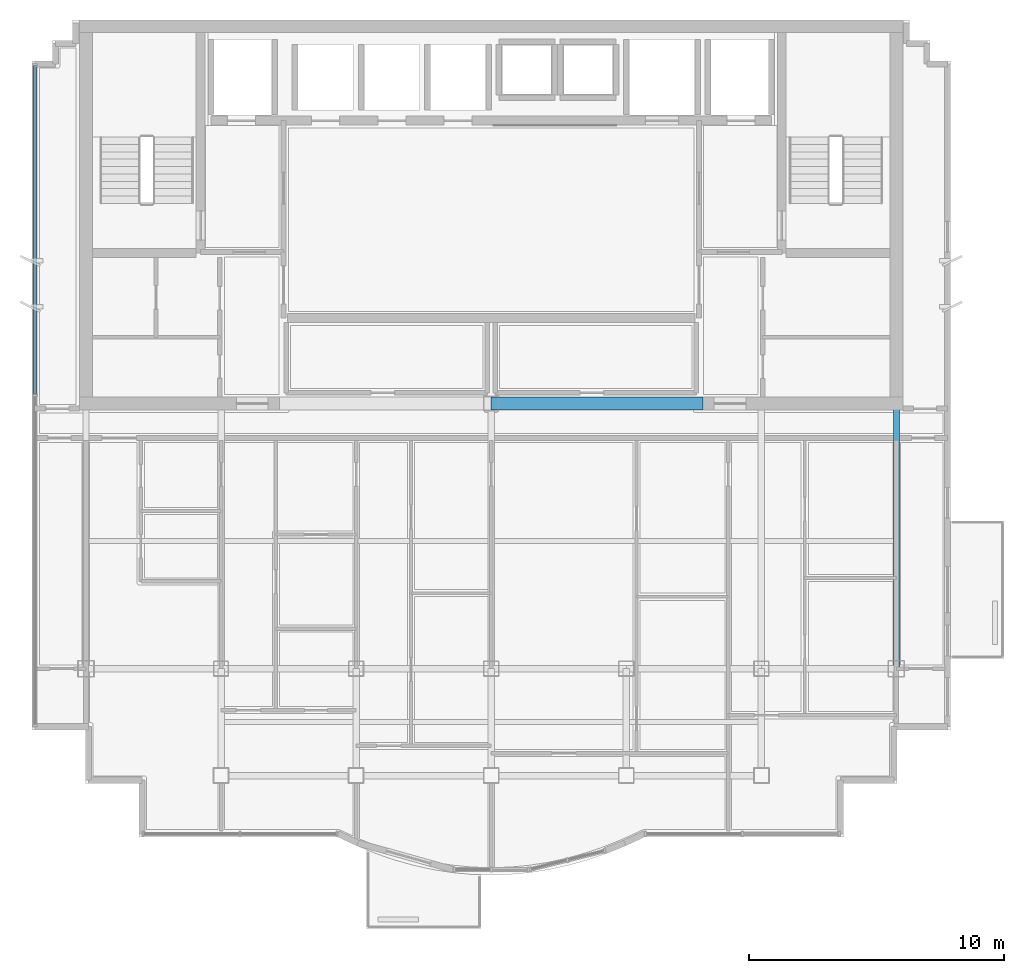
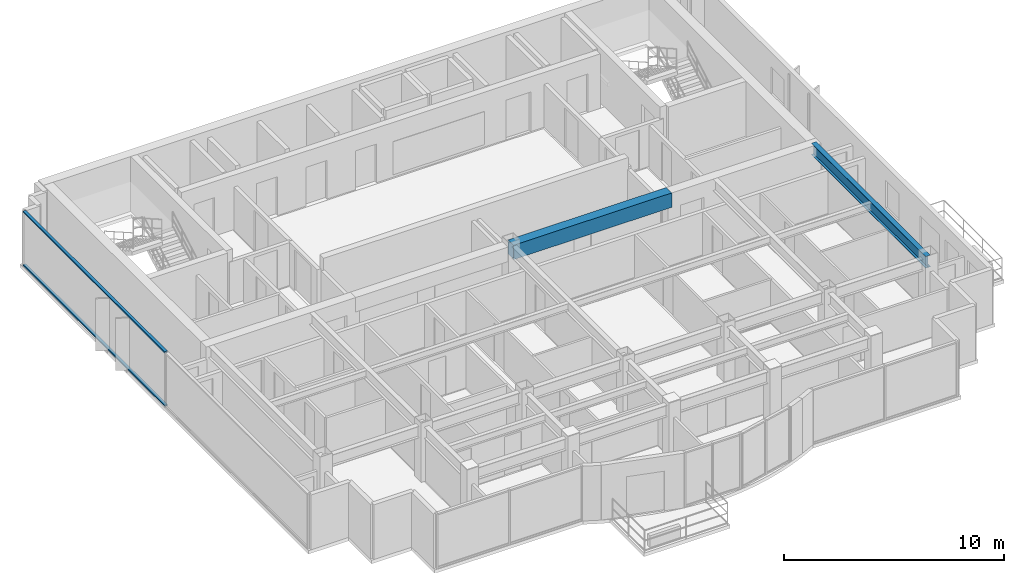
# One storey, part 3 of 11: 2 beams, 2 members, 1 element without a shape of its own.
"""IFC4 building model written with IfcOpenShell, lengths in metres."""

from ifc_helpers import new_model, si_unit, direction, frame, origin, origin_2d, place, context, subcontext, project, spatial, rectangle, i_section, extrude, source, transform, mapped, material, layer, layer_set, material_profile, profile_set, type_object, element, aggregate, save


model = new_model("IFC4")

# Units and contexts
model_context = context("Model", 3, precision=1e-05, world=origin(), true_north=direction((0.0, 1.0)))
body_context = subcontext(model_context, "Body", "Model", "MODEL_VIEW")
ifc_project = project(units=[si_unit("LENGTHUNIT", "METRE"), si_unit("AREAUNIT", "SQUARE_METRE"), si_unit("VOLUMEUNIT", "CUBIC_METRE"), si_unit("PLANEANGLEUNIT", "RADIAN"), si_unit("MASSUNIT", "GRAM", prefix="KILO")], contexts=[model_context])

# Site, building, storey
site_placement = place(None, origin())
site = spatial("IfcSite", under=ifc_project, at=site_placement, CompositionType="ELEMENT")
building_placement = place(site_placement, origin())
building = spatial("IfcBuilding", under=site, at=building_placement, Name="Qianlan Lanfeng Residences", CompositionType="ELEMENT")
storey_placement = place(building_placement, frame((0.0, 0.0, 262.699951171875)))
storey = spatial("IfcBuildingStorey", under=building, at=storey_placement, Name="L73", CompositionType="ELEMENT", Elevation=262.699951171875)

# Beams
ifc_material_1 = material(Name="Steel SN490B", Category="steel")
ifc_material_profile_1 = material_profile(ifc_material_1, i_section(OverallWidth=0.25, OverallDepth=0.64990234375, WebThickness=0.012939453125, FlangeThickness=0.02197265625, at=origin_2d()), Name="H 650x250x13x22")
ifc_profile_set_1 = profile_set([ifc_material_profile_1], Name="Steel SN490B")
beam_type_1 = type_object("IfcBeamType", Name="G-650", PredefinedType="BEAM", material=ifc_profile_set_1)
beam_1_placement = place(storey_placement, frame((42.39990234375, 14.800048828125, 2.715087890625), z_axis=(0.0, 1.0, 0.0), x_axis=(-1.0, 0.0, 0.0)))
element("IfcBeam", 1, at=beam_1_placement, inside=storey, type_object=beam_type_1, Name="Structural beam G-650", PredefinedType="BEAM", context=body_context, shape_type="SweptSolid", body=[
    extrude(i_section(OverallWidth=0.25, OverallDepth=0.64990234375, WebThickness=0.012939453125, FlangeThickness=0.02197265625, at=origin_2d()), origin(), (0.0, 0.0, 1.0), 10.39990234375),
])
ifc_material_2 = material(Name="Concrete C49", Category="concrete")
ifc_material_profile_2 = material_profile(ifc_material_2, rectangle(XDim=0.5, YDim=0.800048828125, at=origin_2d()), Name="RC 500x800")
ifc_profile_set_2 = profile_set([ifc_material_profile_2], Name="Concrete C49")
beam_type_2 = type_object("IfcBeamType", Name="LB-RC750", PredefinedType="BEAM", material=ifc_profile_set_2)
beam_2_placement = place(storey_placement, frame((26.5, 25.199951171875, 2.64013671875), z_axis=(1.0, 0.0, 0.0), x_axis=(0.0, 1.0, 0.0)))
element("IfcBeam", 2, at=beam_2_placement, inside=storey, type_object=beam_type_2, Name="L73 Core Coupling Beam E", PredefinedType="BEAM", context=body_context, shape_type="SweptSolid", body=[
    extrude(rectangle(XDim=0.5, YDim=0.800048828125, at=origin_2d()), origin(), (0.0, 0.0, 1.0), 8.300048828125),
])

# Curtain wall, members
ifc_material_3 = material(Name="Anodised Bronze Aluminium 6063-T6", Category="aluminium")
ifc_layer = layer(ifc_material_3, 0.219970703125)
ifc_layer_set = layer_set([ifc_layer], Name="Anodised Bronze Aluminium 6063-T6")
curtain_wall_type = type_object("IfcCurtainWallType", Name="CW-06", PredefinedType="NOTDEFINED", material=ifc_layer_set)
curtain_wall_placement = place(storey_placement, origin())
curtain_wall = element("IfcCurtainWall", 3, at=curtain_wall_placement, inside=storey, type_object=curtain_wall_type, Name="L73 Unitised Curtain Wall CWR-L73-05 (CW-06)", PredefinedType="NOTDEFINED")
ifc_material_profile_3 = material_profile(ifc_material_3, rectangle(XDim=0.074951171875, YDim=0.14990234375, at=origin_2d()), Name="ALU TRANSOM 75x150")
ifc_profile_set_3 = profile_set([ifc_material_profile_3], Name="Anodised Bronze Aluminium 6063-T6")
member_type = type_object("IfcMemberType", Name="CWT-150", PredefinedType="USERDEFINED", material=ifc_profile_set_3)
shared_shape = source(origin(), body_context, "Body", "SweptSolid", [
    extrude(rectangle(XDim=0.074951171875, YDim=0.14990234375, at=origin_2d()), origin(), (0.0, 0.0, 1.0), 12.892578125),
])
member_1_placement = place(storey_placement, frame((8.60009765625, 38.455078125, 0.03759765625), z_axis=(0.0, -1.0, 0.0), x_axis=(0.0, 0.0, 1.0)))
member_1 = element("IfcMember", 4, at=member_1_placement, type_object=member_type, Name="CWR-L73-05 Transom 1-BOT", ObjectType="TRANSOM", PredefinedType="USERDEFINED", context=body_context, shape_type="MappedRepresentation", body=[
    mapped(shared_shape, transform((0.0, 0.0, 0.0), scale=1.0)),
])
member_2_placement = place(storey_placement, frame((8.60009765625, 38.455078125, 3.00244140625), z_axis=(0.0, -1.0, 0.0), x_axis=(0.0, 0.0, 1.0)))
member_2 = element("IfcMember", 5, at=member_2_placement, type_object=member_type, Name="CWR-L73-05 Transom 1-TOP", ObjectType="TRANSOM", PredefinedType="USERDEFINED", context=body_context, shape_type="MappedRepresentation", body=[
    mapped(shared_shape, transform((0.0, 0.0, 0.0), scale=1.0)),
])
aggregate(curtain_wall, [member_1, member_2])

save(model, "model.ifc")
